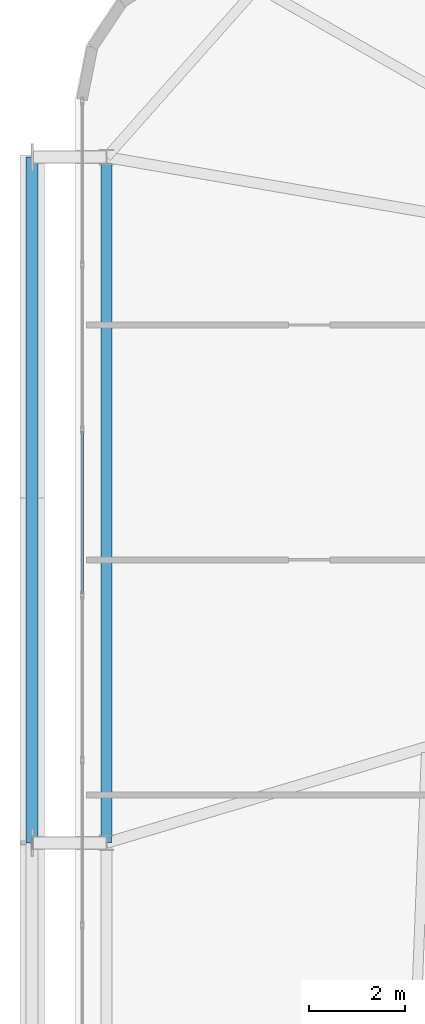
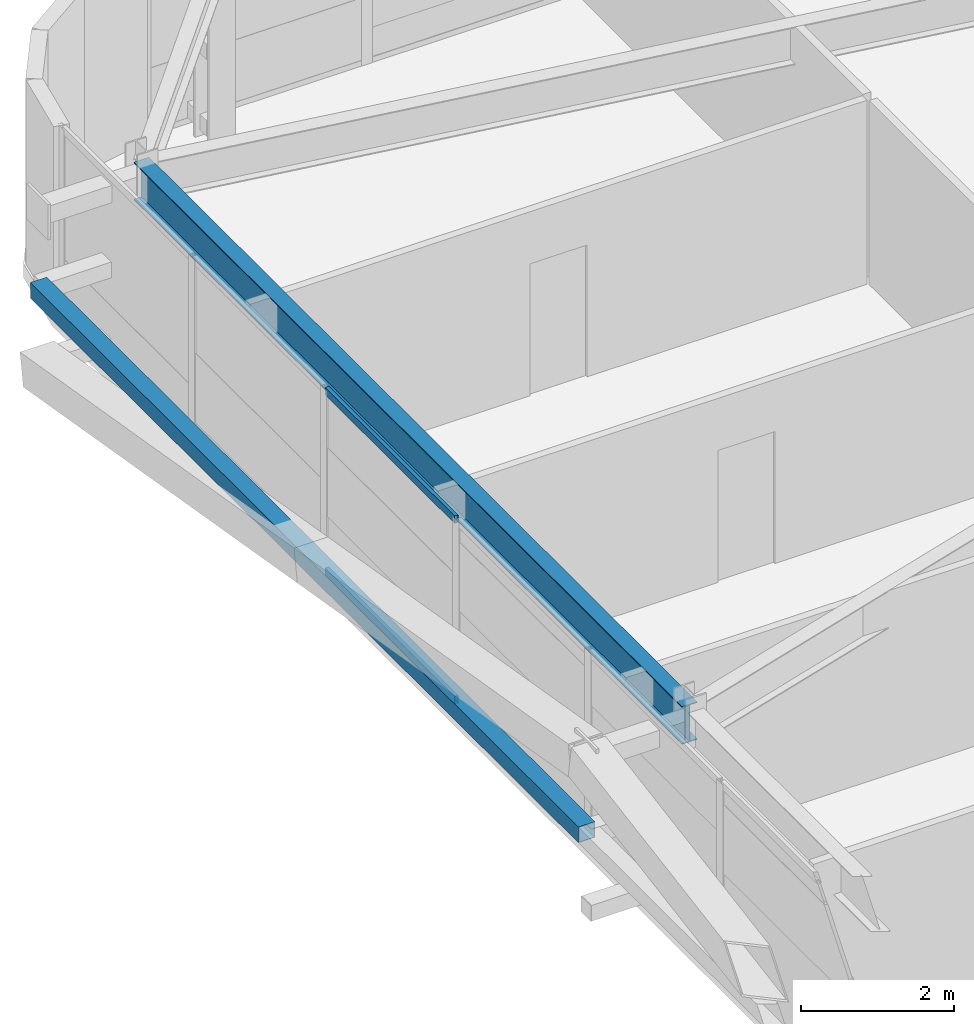
# One storey, part 17 of 58: 3 members, 1 beam, 1 element without a shape of its own.
"""IFC4 building model written with IfcOpenShell, lengths in metres."""

from ifc_helpers import new_model, si_unit, direction, frame, origin, origin_2d, place, context, subcontext, project, spatial, hollow_rectangle, i_section, extrude, source, transform, mapped, material, layer, layer_set, material_profile, profile_set, type_object, element, aggregate, save


model = new_model("IFC4")

# Units and contexts
model_context = context("Model", 3, precision=1e-05, world=origin(), true_north=direction((0.0, 1.0)))
body_context = subcontext(model_context, "Body", "Model", "MODEL_VIEW")
ifc_project = project(units=[si_unit("LENGTHUNIT", "METRE"), si_unit("AREAUNIT", "SQUARE_METRE"), si_unit("VOLUMEUNIT", "CUBIC_METRE"), si_unit("PLANEANGLEUNIT", "RADIAN"), si_unit("MASSUNIT", "GRAM", prefix="KILO")], contexts=[model_context])

# Site, building, storey
site_placement = place(None, origin())
site = spatial("IfcSite", under=ifc_project, at=site_placement, CompositionType="ELEMENT")
building_placement = place(site_placement, origin())
building = spatial("IfcBuilding", under=site, at=building_placement, Name="Taldren Reach Tower", CompositionType="ELEMENT")
storey_placement = place(building_placement, frame((0.0, 0.0, 35.699951171875)))
storey = spatial("IfcBuildingStorey", under=building, at=storey_placement, Name="L10", CompositionType="ELEMENT", Elevation=35.699951171875)

# Beam
ifc_material_1 = material(Name="Steel Gr 350 (350PLUS)", Category="steel")
ifc_material_profile_1 = material_profile(ifc_material_1, i_section(OverallWidth=0.22802734375, OverallDepth=0.60205078125, WebThickness=0.010498046875, FlangeThickness=0.014892578125, at=origin_2d()), Name="610UB101")
ifc_profile_set_1 = profile_set([ifc_material_profile_1], Name="Steel Gr 350 (350PLUS)")
beam_type = type_object("IfcBeamType", Name="BM-UB610B", PredefinedType="BEAM", material=ifc_profile_set_1)
shared_shape_1 = source(origin(), body_context, "Body", "SweptSolid", [
    extrude(i_section(OverallWidth=0.22802734375, OverallDepth=0.60205078125, WebThickness=0.010498046875, FlangeThickness=0.014892578125, at=origin_2d()), origin(), (0.0, 0.0, 1.0), 14.300048828125),
])
beam_placement = place(storey_placement, frame((5.64990234375, 34.300048828125, 2.629150390625), z_axis=(0.0, -1.0, 0.0), x_axis=(1.0, 0.0, 0.0)))
element("IfcBeam", 1, at=beam_placement, inside=storey, type_object=beam_type, Name="Perimeter gable girder B1 W3-W2 L10", PredefinedType="BEAM", context=body_context, shape_type="MappedRepresentation", body=[
    mapped(shared_shape_1, transform((0.0, 0.0, 0.0), scale=1.0)),
])

# Member
ifc_material_2 = material(Name="Steel Gr 350 (C350L0)", Category="steel")
ifc_material_profile_2 = material_profile(ifc_material_2, hollow_rectangle(XDim=0.25, YDim=0.25, WallThickness=0.010009765625, at=origin_2d()), Name="250x250x10.0SHS")
ifc_profile_set_2 = profile_set([ifc_material_profile_2], Name="Steel Gr 350 (C350L0)")
member_type_1 = type_object("IfcMemberType", Name="MB-POST250", PredefinedType="POST", material=ifc_profile_set_2)
shared_shape_2 = source(origin(), body_context, "Body", "SweptSolid", [
    extrude(hollow_rectangle(XDim=0.25, YDim=0.25, WallThickness=0.010009765625, at=origin_2d()), origin(), (0.0, 0.0, 1.0), 14.300048828125),
])
member_1_placement = place(storey_placement, frame((4.10009765625, 20.0, 1.43505859375), z_axis=(0.0, 1.0, 0.0), x_axis=(-1.0, 0.0, 0.0)))
element("IfcMember", 2, at=member_1_placement, inside=storey, type_object=member_type_1, Name="Exoskeleton mid-height ring chord B1-W2 L10", PredefinedType="POST", context=body_context, shape_type="MappedRepresentation", body=[
    mapped(shared_shape_2, transform((0.0, 0.0, 0.0), scale=1.0)),
])

# Curtain wall, members
ifc_material_3 = material(Name="Aluminium and Low-E Glass Unitised System", Category="aluminium")
ifc_layer = layer(ifc_material_3, 0.159912109375)
ifc_layer_set = layer_set([ifc_layer], Name="Aluminium and Low-E Glass Unitised System")
curtain_wall_type = type_object("IfcCurtainWallType", Name="CW-SYS-2", PredefinedType="NOTDEFINED", material=ifc_layer_set)
curtain_wall_placement = place(storey_placement, origin())
curtain_wall = element("IfcCurtainWall", 3, at=curtain_wall_placement, inside=storey, type_object=curtain_wall_type, Name="Unitised curtain wall CW-L10-W", PredefinedType="NOTDEFINED")
ifc_material_4 = material(Name="Anodised Aluminium 6063-T6", Category="aluminium")
ifc_material_profile_3 = material_profile(ifc_material_4, hollow_rectangle(XDim=0.054931640625, YDim=0.1201171875, WallThickness=0.0029296875, at=origin_2d()), Name="ALU-120x55x3RHS")
ifc_profile_set_3 = profile_set([ifc_material_profile_3], Name="Anodised Aluminium 6063-T6")
member_type_2 = type_object("IfcMemberType", Name="CW-TRN-135", PredefinedType="USERDEFINED", material=ifc_profile_set_3)
shared_shape_3 = source(origin(), body_context, "Body", "SweptSolid", [
    extrude(hollow_rectangle(XDim=0.054931640625, YDim=0.1201171875, WallThickness=0.0029296875, at=origin_2d()), origin(), (0.0, 0.0, 1.0), 3.37939453125),
])
member_2_placement = place(storey_placement, frame((5.139892578125, 28.57861328125, 0.027587890625), z_axis=(0.0, -1.0, 0.0), x_axis=(1.0, 0.0, 0.0)))
member_2 = element("IfcMember", 4, at=member_2_placement, type_object=member_type_2, Name="CW-2 transom 3.1", ObjectType="TRANSOM", PredefinedType="USERDEFINED", context=body_context, shape_type="MappedRepresentation", body=[
    mapped(shared_shape_3, transform((0.0, 0.0, 0.0), scale=1.0)),
])
member_3_placement = place(storey_placement, frame((5.139892578125, 28.57861328125, 2.902587890625), z_axis=(0.0, -1.0, 0.0), x_axis=(1.0, 0.0, 0.0)))
member_3 = element("IfcMember", 5, at=member_3_placement, type_object=member_type_2, Name="CW-2 transom 3.2", ObjectType="TRANSOM", PredefinedType="USERDEFINED", context=body_context, shape_type="MappedRepresentation", body=[
    mapped(shared_shape_3, transform((0.0, 0.0, 0.0), scale=1.0)),
])
aggregate(curtain_wall, [member_2, member_3])

save(model, "model.ifc")
